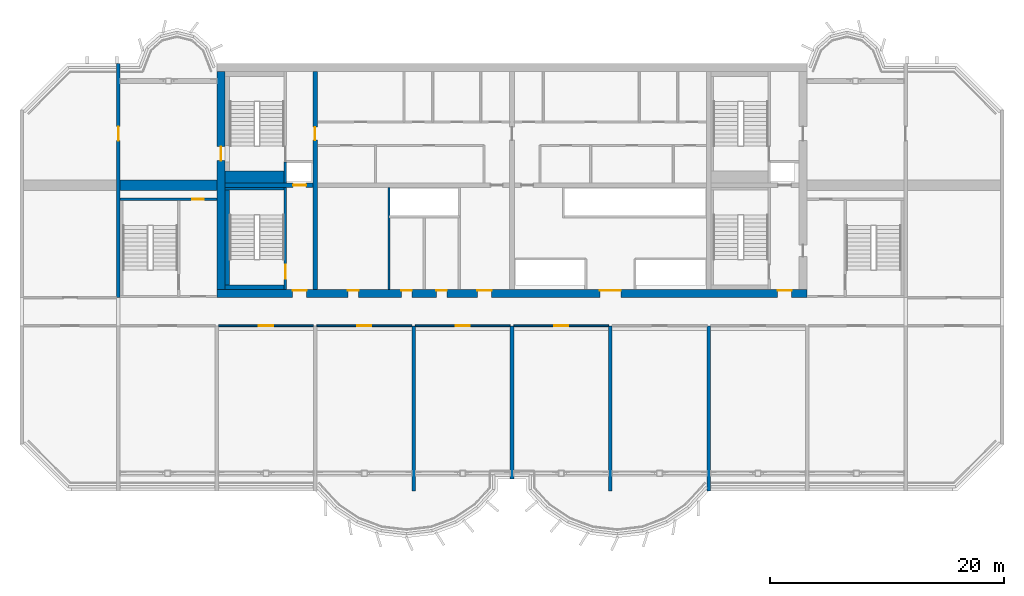
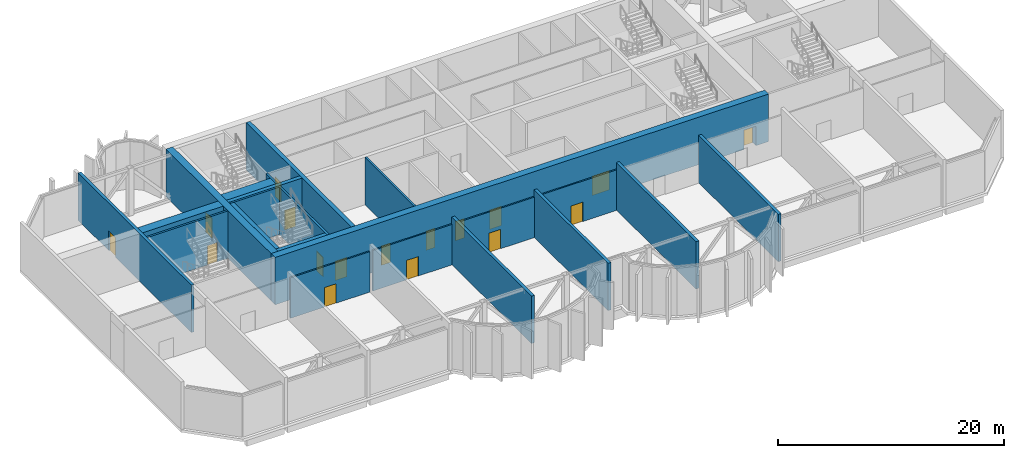
# One storey, part 4 of 15: 22 walls, 17 doors, 17 openings.
"""IFC4 building model written with IfcOpenShell, lengths in metres."""

from ifc_helpers import new_model, si_unit, direction, frame, frame_2d, origin, place, context, subcontext, project, spatial, rectangle, extrude, source, transform, mapped, material, layer, layer_set, type_object, element, fill, save


model = new_model("IFC4")

# Units and contexts
model_context = context("Model", 3, precision=1e-05, world=origin(), true_north=direction((0.0, 1.0)))
body_context = subcontext(model_context, "Body", "Model", "MODEL_VIEW")
ifc_project = project(units=[si_unit("LENGTHUNIT", "METRE"), si_unit("AREAUNIT", "SQUARE_METRE"), si_unit("VOLUMEUNIT", "CUBIC_METRE"), si_unit("PLANEANGLEUNIT", "RADIAN"), si_unit("MASSUNIT", "GRAM", prefix="KILO")], contexts=[model_context])

# Site, building, storey
site_placement = place(None, origin())
site = spatial("IfcSite", under=ifc_project, at=site_placement, CompositionType="ELEMENT")
building_placement = place(site_placement, origin())
building = spatial("IfcBuilding", under=site, at=building_placement, Name="Vanashikhar Sky Hotel", CompositionType="ELEMENT")
storey_placement = place(building_placement, frame((0.0, 0.0, 201.0)))
storey = spatial("IfcBuildingStorey", under=building, at=storey_placement, Name="L49", CompositionType="ELEMENT", Elevation=201.0)

# Wall, opening, door
ifc_material_1 = material(Name="Concrete M60", Category="concrete")
ifc_layer_1 = layer(ifc_material_1, 0.39990234375)
ifc_layer_set_1 = layer_set([ifc_layer_1], Name="RC core inner wall 400 Concrete M60")
wall_type_1 = type_object("IfcWallType", Name="RC core inner wall 400 Concrete M60", PredefinedType="SHEAR", material=ifc_layer_set_1)
shared_shape_1 = source(origin(), body_context, "Body", "SweptSolid", [
    extrude(rectangle(XDim=18.60009765625, YDim=0.39990234375, at=frame_2d((9.300048828125, 0.0))), origin(), (0.0, 0.0, 1.0), 5.1201171875),
])
wall_1_placement = place(storey_placement, frame((33.60009765625, 22.699951171875, 0.0), z_axis=(0.0, 0.0, 1.0), x_axis=(0.0, 1.0, 0.0)))
wall_1 = element("IfcWall", 1, at=wall_1_placement, inside=storey, type_object=wall_type_1, Name="KW-L49-KX1", PredefinedType="SHEAR", context=body_context, shape_type="MappedRepresentation", body=[
    mapped(shared_shape_1, transform((0.0, 0.0, 0.0), scale=1.0)),
])
shared_shape_2 = source(origin(), body_context, "Body", "SweptSolid", [
    extrude(rectangle(XDim=1.10009765625, YDim=2.10009765625, at=frame_2d((0.550048828125, 1.050048828125))), frame((0.0, 0.2099609375, 0.0), z_axis=(0.0, -1.0, 0.0), x_axis=(1.0, 0.0, 0.0)), (0.0, 0.0, 1.0), 0.419921875),
])
opening_1_placement = place(wall_1_placement, frame((12.75, 0.0, 0.0)))
opening_1 = element("IfcOpeningElement", 2, at=opening_1_placement, cuts=wall_1, Name="Opening DC-4-C", PredefinedType="OPENING", context=body_context, shape_type="MappedRepresentation", body=[
    mapped(shared_shape_2, transform((0.0, 0.0, 0.0), scale=1.0)),
])
ifc_material_2 = material(Name="Steel", Category="steel")
door_type_1 = type_object("IfcDoorType", Name="Service door 1100 FD60", OperationType="NOTDEFINED", PredefinedType="DOOR", material=ifc_material_2)
shared_shape_3 = source(origin(), body_context, "Body", "SweptSolid", [
    extrude(rectangle(XDim=1.10009765625, YDim=2.10009765625, at=frame_2d((0.550048828125, 1.050048828125))), frame((0.0, 0.02490234375, 0.0), z_axis=(0.0, -1.0, 0.0), x_axis=(1.0, 0.0, 0.0)), (0.0, 0.0, 1.0), 0.050048828125),
])
door_1_placement = place(opening_1_placement, origin())
door_1 = element("IfcDoor", 3, at=door_1_placement, inside=storey, type_object=door_type_1, Name="Service door 1100 FD60", OperationType="SINGLE_SWING_RIGHT", OverallHeight=2.10009765625, OverallWidth=1.10009765625, PredefinedType="DOOR", context=body_context, shape_type="MappedRepresentation", body=[
    mapped(shared_shape_3, transform((0.0, 0.0, 0.0), scale=1.0)),
])
fill(opening_1, door_1)

# Wall, openings, doors
ifc_layer_2 = layer(ifc_material_1, 0.699951171875)
ifc_layer_set_2 = layer_set([ifc_layer_2], Name="RC core shell wall 700 Concrete M60")
wall_type_2 = type_object("IfcWallType", Name="RC core shell wall 700 Concrete M60", PredefinedType="SHEAR", material=ifc_layer_set_2)
shared_shape_4 = source(origin(), body_context, "Body", "SweptSolid", [
    extrude(rectangle(XDim=50.400146484375, YDim=0.699951171875, at=frame_2d((25.2001953125, 0.0))), origin(), (0.0, 0.0, 1.0), 5.1201171875),
])
wall_2_placement = place(storey_placement, frame((25.199951171875, 22.35009765625, 0.0), z_axis=(0.0, 0.0, 1.0), x_axis=(1.0, 0.0, 0.0)))
wall_2 = element("IfcWall", 4, at=wall_2_placement, inside=storey, type_object=wall_type_2, Name="KW-L49-KS", PredefinedType="SHEAR", context=body_context, shape_type="MappedRepresentation", body=[
    mapped(shared_shape_4, transform((0.0, 0.0, 0.0), scale=1.0)),
])
shared_shape_5 = source(origin(), body_context, "Body", "SweptSolid", [
    extrude(rectangle(XDim=1.199951171875, YDim=2.10009765625, at=frame_2d((0.60009765625, 1.050048828125))), frame((0.0, 0.35986328125, 0.0), z_axis=(0.0, -1.0, 0.0), x_axis=(1.0, 0.0, 0.0)), (0.0, 0.0, 1.0), 0.719970703125),
])
opening_2_placement = place(wall_2_placement, frame((22.25, 0.0, 0.0)))
opening_2 = element("IfcOpeningElement", 5, at=opening_2_placement, cuts=wall_2, Name="Opening DC-4-B", PredefinedType="OPENING", context=body_context, shape_type="MappedRepresentation", body=[
    mapped(shared_shape_5, transform((0.0, 0.0, 0.0), scale=1.0)),
])
shared_shape_6 = source(origin(), body_context, "Body", "SweptSolid", [
    extrude(rectangle(XDim=0.89990234375, YDim=2.10009765625, at=frame_2d((0.449951171875, 1.050048828125))), frame((0.0, 0.35986328125, 0.0), z_axis=(0.0, -1.0, 0.0), x_axis=(1.0, 0.0, 0.0)), (0.0, 0.0, 1.0), 0.719970703125),
])
opening_3_placement = place(wall_2_placement, frame((15.75, 0.0, 0.0)))
opening_3 = element("IfcOpeningElement", 6, at=opening_3_placement, cuts=wall_2, Name="Opening DC-4-A", PredefinedType="OPENING", context=body_context, shape_type="MappedRepresentation", body=[
    mapped(shared_shape_6, transform((0.0, 0.0, 0.0), scale=1.0)),
])
opening_4_placement = place(wall_2_placement, frame((18.75, 0.0, 0.0)))
opening_4 = element("IfcOpeningElement", 7, at=opening_4_placement, cuts=wall_2, Name="Opening DC-4-A", PredefinedType="OPENING", context=body_context, shape_type="MappedRepresentation", body=[
    mapped(shared_shape_6, transform((0.0, 0.0, 0.0), scale=1.0)),
])
opening_5_placement = place(wall_2_placement, frame((11.199951171875, 0.0, 0.0)))
opening_5 = element("IfcOpeningElement", 8, at=opening_5_placement, cuts=wall_2, Name="Opening DC-4-A", PredefinedType="OPENING", context=body_context, shape_type="MappedRepresentation", body=[
    mapped(shared_shape_6, transform((0.0, 0.0, 0.0), scale=1.0)),
])
shared_shape_7 = source(origin(), body_context, "Body", "SweptSolid", [
    extrude(rectangle(XDim=1.800048828125, YDim=2.10009765625, at=frame_2d((0.89990234375, 1.050048828125))), frame((0.0, 0.35986328125, 0.0), z_axis=(0.0, -1.0, 0.0), x_axis=(1.0, 0.0, 0.0)), (0.0, 0.0, 1.0), 0.719970703125),
])
opening_6_placement = place(wall_2_placement, frame((32.699951171875, 0.0, 0.0)))
opening_6 = element("IfcOpeningElement", 9, at=opening_6_placement, cuts=wall_2, Name="Opening DC-3", PredefinedType="OPENING", context=body_context, shape_type="MappedRepresentation", body=[
    mapped(shared_shape_7, transform((0.0, 0.0, 0.0), scale=1.0)),
])
opening_7_placement = place(wall_2_placement, frame((6.47509765625, 0.0, 0.0)))
opening_7 = element("IfcOpeningElement", 10, at=opening_7_placement, cuts=wall_2, Name="Opening DC-2", PredefinedType="OPENING", context=body_context, shape_type="MappedRepresentation", body=[
    mapped(shared_shape_5, transform((0.0, 0.0, 0.0), scale=1.0)),
])
opening_8_placement = place(wall_2_placement, frame((47.875, 0.0, 0.0)))
opening_8 = element("IfcOpeningElement", 11, at=opening_8_placement, cuts=wall_2, Name="Opening DC-2", PredefinedType="OPENING", context=body_context, shape_type="MappedRepresentation", body=[
    mapped(shared_shape_5, transform((0.0, 0.0, 0.0), scale=1.0)),
])
ifc_material_3 = material(Name="Glass", Category="glass")
door_type_2 = type_object("IfcDoorType", Name="Lift lobby entrance door 1800 FD60", OperationType="NOTDEFINED", PredefinedType="DOOR", material=ifc_material_3)
shared_shape_8 = source(origin(), body_context, "Body", "SweptSolid", [
    extrude(rectangle(XDim=1.800048828125, YDim=2.10009765625, at=frame_2d((0.89990234375, 1.050048828125))), frame((0.0, 0.27490234375, 0.0), z_axis=(0.0, -1.0, 0.0), x_axis=(1.0, 0.0, 0.0)), (0.0, 0.0, 1.0), 0.050048828125),
])
door_2_placement = place(opening_6_placement, origin())
door_2 = element("IfcDoor", 12, at=door_2_placement, inside=storey, type_object=door_type_2, Name="Lift lobby entrance door 1800 FD60", OperationType="DOUBLE_DOOR_SINGLE_SWING", OverallHeight=2.10009765625, OverallWidth=1.800048828125, PredefinedType="DOOR", context=body_context, shape_type="MappedRepresentation", body=[
    mapped(shared_shape_8, transform((0.0, 0.0, 0.0), scale=1.0)),
])
fill(opening_6, door_2)
door_type_3 = type_object("IfcDoorType", Name="Service door 1200 FD60", OperationType="NOTDEFINED", PredefinedType="DOOR", material=ifc_material_2)
shared_shape_9 = source(origin(), body_context, "Body", "SweptSolid", [
    extrude(rectangle(XDim=1.199951171875, YDim=2.10009765625, at=frame_2d((0.60009765625, 1.050048828125))), frame((0.0, 0.27490234375, 0.0), z_axis=(0.0, -1.0, 0.0), x_axis=(1.0, 0.0, 0.0)), (0.0, 0.0, 1.0), 0.050048828125),
])
door_3_placement = place(opening_2_placement, origin())
door_3 = element("IfcDoor", 13, at=door_3_placement, inside=storey, type_object=door_type_3, Name="Service door 1200 FD60", OperationType="SINGLE_SWING_LEFT", OverallHeight=2.10009765625, OverallWidth=1.199951171875, PredefinedType="DOOR", context=body_context, shape_type="MappedRepresentation", body=[
    mapped(shared_shape_9, transform((0.0, 0.0, 0.0), scale=1.0)),
])
fill(opening_2, door_3)
door_type_4 = type_object("IfcDoorType", Name="Firefighting lobby door 1200 FD120", OperationType="NOTDEFINED", PredefinedType="DOOR", material=ifc_material_2)
door_4_placement = place(opening_7_placement, origin())
door_4 = element("IfcDoor", 14, at=door_4_placement, inside=storey, type_object=door_type_4, Name="Firefighting lobby door 1200 FD120", OperationType="SINGLE_SWING_LEFT", OverallHeight=2.10009765625, OverallWidth=1.199951171875, PredefinedType="DOOR", context=body_context, shape_type="MappedRepresentation", body=[
    mapped(shared_shape_9, transform((0.0, 0.0, 0.0), scale=1.0)),
])
fill(opening_7, door_4)
door_5_placement = place(opening_8_placement, origin())
door_5 = element("IfcDoor", 15, at=door_5_placement, inside=storey, type_object=door_type_4, Name="Firefighting lobby door 1200 FD120", OperationType="SINGLE_SWING_LEFT", OverallHeight=2.10009765625, OverallWidth=1.199951171875, PredefinedType="DOOR", context=body_context, shape_type="MappedRepresentation", body=[
    mapped(shared_shape_9, transform((0.0, 0.0, 0.0), scale=1.0)),
])
fill(opening_8, door_5)
door_type_5 = type_object("IfcDoorType", Name="Service door 900 FD60", OperationType="NOTDEFINED", PredefinedType="DOOR", material=ifc_material_2)
shared_shape_10 = source(origin(), body_context, "Body", "SweptSolid", [
    extrude(rectangle(XDim=0.89990234375, YDim=2.10009765625, at=frame_2d((0.449951171875, 1.050048828125))), frame((0.0, 0.27490234375, 0.0), z_axis=(0.0, -1.0, 0.0), x_axis=(1.0, 0.0, 0.0)), (0.0, 0.0, 1.0), 0.050048828125),
])
door_6_placement = place(opening_3_placement, origin())
door_6 = element("IfcDoor", 16, at=door_6_placement, inside=storey, type_object=door_type_5, Name="Service door 900 FD60", OperationType="SINGLE_SWING_LEFT", OverallHeight=2.10009765625, OverallWidth=0.89990234375, PredefinedType="DOOR", context=body_context, shape_type="MappedRepresentation", body=[
    mapped(shared_shape_10, transform((0.0, 0.0, 0.0), scale=1.0)),
])
fill(opening_3, door_6)
door_7_placement = place(opening_4_placement, origin())
door_7 = element("IfcDoor", 17, at=door_7_placement, inside=storey, type_object=door_type_5, Name="Service door 900 FD60", OperationType="SINGLE_SWING_RIGHT", OverallHeight=2.10009765625, OverallWidth=0.89990234375, PredefinedType="DOOR", context=body_context, shape_type="MappedRepresentation", body=[
    mapped(shared_shape_10, transform((0.0, 0.0, 0.0), scale=1.0)),
])
fill(opening_4, door_7)
door_8_placement = place(opening_5_placement, origin())
door_8 = element("IfcDoor", 18, at=door_8_placement, inside=storey, type_object=door_type_5, Name="Service door 900 FD60", OperationType="SINGLE_SWING_LEFT", OverallHeight=2.10009765625, OverallWidth=0.89990234375, PredefinedType="DOOR", context=body_context, shape_type="MappedRepresentation", body=[
    mapped(shared_shape_10, transform((0.0, 0.0, 0.0), scale=1.0)),
])
fill(opening_5, door_8)

# Wall, opening, door
shared_shape_11 = source(origin(), body_context, "Body", "SweptSolid", [
    extrude(rectangle(XDim=18.60009765625, YDim=0.699951171875, at=frame_2d((9.300048828125, 0.0))), origin(), (0.0, 0.0, 1.0), 5.1201171875),
])
wall_3_placement = place(storey_placement, frame((25.550048828125, 22.699951171875, 0.0), z_axis=(0.0, 0.0, 1.0), x_axis=(0.0, 1.0, 0.0)))
wall_3 = element("IfcWall", 19, at=wall_3_placement, inside=storey, type_object=wall_type_2, Name="KW-L49-KW", PredefinedType="SHEAR", context=body_context, shape_type="MappedRepresentation", body=[
    mapped(shared_shape_11, transform((0.0, 0.0, 0.0), scale=1.0)),
])
opening_9_placement = place(wall_3_placement, frame((11.0, 0.0, 0.0)))
opening_9 = element("IfcOpeningElement", 20, at=opening_9_placement, cuts=wall_3, Name="Opening DC-4-D", PredefinedType="OPENING", context=body_context, shape_type="MappedRepresentation", body=[
    mapped(shared_shape_5, transform((0.0, 0.0, 0.0), scale=1.0)),
])
door_type_6 = type_object("IfcDoorType", Name="Service door 1200 FD120", OperationType="NOTDEFINED", PredefinedType="DOOR", material=ifc_material_2)
shared_shape_12 = source(origin(), body_context, "Body", "SweptSolid", [
    extrude(rectangle(XDim=1.199951171875, YDim=2.10009765625, at=frame_2d((0.60009765625, 1.050048828125))), frame((0.0, 0.02490234375, 0.0), z_axis=(0.0, -1.0, 0.0), x_axis=(1.0, 0.0, 0.0)), (0.0, 0.0, 1.0), 0.050048828125),
])
door_9_placement = place(opening_9_placement, origin())
door_9 = element("IfcDoor", 21, at=door_9_placement, inside=storey, type_object=door_type_6, Name="Service door 1200 FD120", OperationType="SINGLE_SWING_RIGHT", OverallHeight=2.10009765625, OverallWidth=1.199951171875, PredefinedType="DOOR", context=body_context, shape_type="MappedRepresentation", body=[
    mapped(shared_shape_12, transform((0.0, 0.0, 0.0), scale=1.0)),
])
fill(opening_9, door_9)

shared_shape_13 = source(origin(), body_context, "Body", "SweptSolid", [
    extrude(rectangle(XDim=7.5, YDim=0.39990234375, at=frame_2d((3.75, 0.0))), origin(), (0.0, 0.0, 1.0), 5.1201171875),
])
wall_4_placement = place(storey_placement, frame((25.89990234375, 31.60009765625, 0.0), z_axis=(0.0, 0.0, 1.0), x_axis=(1.0, 0.0, 0.0)))
wall_4 = element("IfcWall", 22, at=wall_4_placement, inside=storey, type_object=wall_type_1, Name="KW-L49-KY1", PredefinedType="SHEAR", context=body_context, shape_type="MappedRepresentation", body=[
    mapped(shared_shape_13, transform((0.0, 0.0, 0.0), scale=1.0)),
])
opening_10_placement = place(wall_4_placement, frame((5.824951171875, 0.0, 0.0)))
opening_10 = element("IfcOpeningElement", 23, at=opening_10_placement, cuts=wall_4, Name="Opening LD", PredefinedType="OPENING", context=body_context, shape_type="MappedRepresentation", body=[
    mapped(shared_shape_2, transform((0.0, 0.0, 0.0), scale=1.0)),
])
ifc_material_4 = material(Name="Stainless steel", Category="steel")
door_type_7 = type_object("IfcDoorType", Name="Lift landing door 1100", OperationType="NOTDEFINED", PredefinedType="DOOR", material=ifc_material_4)
door_10_placement = place(opening_10_placement, origin())
door_10 = element("IfcDoor", 24, at=door_10_placement, inside=storey, type_object=door_type_7, Name="Lift landing door 1100", OperationType="SLIDING_TO_LEFT", OverallHeight=2.10009765625, OverallWidth=1.10009765625, PredefinedType="DOOR", context=body_context, shape_type="MappedRepresentation", body=[
    mapped(shared_shape_3, transform((0.0, 0.0, 0.0), scale=1.0)),
])
fill(opening_10, door_10)

# Walls
ifc_layer_3 = layer(ifc_material_1, 0.300048828125)
ifc_layer_set_3 = layer_set([ifc_layer_3], Name="RC shear wall 300 Concrete M60")
wall_type_3 = type_object("IfcWallType", Name="RC shear wall 300 Concrete M60", PredefinedType="SHEAR", material=ifc_layer_set_3)
shared_shape_14 = source(origin(), body_context, "Body", "SweptSolid", [
    extrude(rectangle(XDim=14.10009765625, YDim=0.300048828125, at=frame_2d((7.050048828125, 0.0))), origin(), (0.0, 0.0, 1.0), 5.1201171875),
])
for number, where, z_axis, x_axis, name in (
    (25, (42.0, 5.5, 0.0), (0.0, 0.0, 1.0), (0.0, 1.0, 0.0), "CW-L49-XW06-1"),
    (26, (58.800048828125, 5.5, 0.0), (0.0, 0.0, 1.0), (0.0, 1.0, 0.0), "CW-L49-XW08-1"),
    (27, (67.199951171875, 5.5, 0.0), (0.0, 0.0, 1.0), (0.0, 1.0, 0.0), "CW-L49-XW09-1"),
):
    element("IfcWall", number, at=place(storey_placement, frame(where, z_axis=z_axis, x_axis=x_axis)), inside=storey, type_object=wall_type_3, Name=name, PredefinedType="SHEAR", context=body_context, shape_type="MappedRepresentation", body=[
        mapped(shared_shape_14, transform((0.0, 0.0, 0.0), scale=1.0)),
    ])

# Wall, opening, door
shared_shape_15 = source(origin(), body_context, "Body", "SweptSolid", [
    extrude(rectangle(XDim=20.0, YDim=0.300048828125, at=frame_2d((10.0, 0.0))), origin(), (0.0, 0.0, 1.0), 5.1201171875),
])
wall_5_placement = place(storey_placement, frame((16.800048828125, 22.0, 0.0), z_axis=(0.0, 0.0, 1.0), x_axis=(0.0, 1.0, 0.0)))
wall_5 = element("IfcWall", 28, at=wall_5_placement, inside=storey, type_object=wall_type_3, Name="CW-L49-XW03-2", PredefinedType="SHEAR", context=body_context, shape_type="MappedRepresentation", body=[
    mapped(shared_shape_15, transform((0.0, 0.0, 0.0), scale=1.0)),
])
shared_shape_16 = source(origin(), body_context, "Body", "SweptSolid", [
    extrude(rectangle(XDim=1.199951171875, YDim=2.10009765625, at=frame_2d((0.60009765625, 1.050048828125))), frame((0.0, 0.16015625, 0.0), z_axis=(0.0, -1.0, 0.0), x_axis=(1.0, 0.0, 0.0)), (0.0, 0.0, 1.0), 0.320068359375),
])
opening_11_placement = place(wall_5_placement, frame((13.39990234375, 0.0, 0.0)))
opening_11 = element("IfcOpeningElement", 29, at=opening_11_placement, cuts=wall_5, Name="Opening DC-4-D", PredefinedType="OPENING", context=body_context, shape_type="MappedRepresentation", body=[
    mapped(shared_shape_16, transform((0.0, 0.0, 0.0), scale=1.0)),
])
door_11_placement = place(opening_11_placement, origin())
door_11 = element("IfcDoor", 30, at=door_11_placement, inside=storey, type_object=door_type_6, Name="Service door 1200 FD120", OperationType="SINGLE_SWING_LEFT", OverallHeight=2.10009765625, OverallWidth=1.199951171875, PredefinedType="DOOR", context=body_context, shape_type="MappedRepresentation", body=[
    mapped(shared_shape_12, transform((0.0, 0.0, 0.0), scale=1.0)),
])
fill(opening_11, door_11)

# Walls
shared_shape_17 = source(origin(), body_context, "Body", "SweptSolid", [
    extrude(rectangle(XDim=13.10009765625, YDim=0.300048828125, at=frame_2d((6.550048828125, 0.0))), origin(), (0.0, 0.0, 1.0), 5.1201171875),
])
wall_6_placement = place(storey_placement, frame((50.39990234375, 6.5, 0.0), z_axis=(0.0, 0.0, 1.0), x_axis=(0.0, 1.0, 0.0)))
element("IfcWall", 31, at=wall_6_placement, inside=storey, type_object=wall_type_3, Name="CW-L49-XW07-1", PredefinedType="SHEAR", context=body_context, shape_type="MappedRepresentation", body=[
    mapped(shared_shape_17, transform((0.0, 0.0, 0.0), scale=1.0)),
])
ifc_layer_4 = layer(ifc_material_1, 0.89990234375)
ifc_layer_set_4 = layer_set([ifc_layer_4], Name="RC outrigger wall 900 Concrete M60")
wall_type_4 = type_object("IfcWallType", Name="RC outrigger wall 900 Concrete M60", PredefinedType="SHEAR", material=ifc_layer_set_4)
shared_shape_18 = source(origin(), body_context, "Body", "SweptSolid", [
    extrude(rectangle(XDim=8.25, YDim=0.89990234375, at=frame_2d((4.125, 0.0))), origin(), (0.0, 0.0, 1.0), 5.1201171875),
])
wall_7_placement = place(storey_placement, frame((16.949951171875, 31.60009765625, 0.0), z_axis=(0.0, 0.0, 1.0), x_axis=(1.0, 0.0, 0.0)))
element("IfcWall", 32, at=wall_7_placement, inside=storey, type_object=wall_type_4, Name="OW-L49-02", PredefinedType="SHEAR", context=body_context, shape_type="MappedRepresentation", body=[
    mapped(shared_shape_18, transform((0.0, 0.0, 0.0), scale=1.0)),
])

# Wall, opening, door
ifc_material_5 = material(Name="Concrete M50", Category="concrete")
ifc_layer_5 = layer(ifc_material_5, 0.199951171875)
ifc_layer_set_5 = layer_set([ifc_layer_5], Name="Stair wall 200")
wall_type_5 = type_object("IfcWallType", Name="Stair wall 200", PredefinedType="SOLIDWALL", material=ifc_layer_set_5)
shared_shape_19 = source(origin(), body_context, "Body", "SweptSolid", [
    extrude(rectangle(XDim=8.699951171875, YDim=0.199951171875, at=frame_2d((4.35009765625, 0.0))), origin(), (0.0, 0.0, 1.0), 5.1201171875),
])
wall_8_placement = place(storey_placement, frame((31.050048828125, 22.699951171875, 0.0), z_axis=(0.0, 0.0, 1.0), x_axis=(0.0, 1.0, 0.0)))
wall_8 = element("IfcWall", 33, at=wall_8_placement, inside=storey, type_object=wall_type_5, Name="Stair wall 200", PredefinedType="SOLIDWALL", context=body_context, shape_type="MappedRepresentation", body=[
    mapped(shared_shape_19, transform((0.0, 0.0, 0.0), scale=1.0)),
])
shared_shape_20 = source(origin(), body_context, "Body", "SweptSolid", [
    extrude(rectangle(XDim=1.199951171875, YDim=2.10009765625, at=frame_2d((0.60009765625, 1.050048828125))), frame((0.0, 0.10986328125, 0.0), z_axis=(0.0, -1.0, 0.0), x_axis=(1.0, 0.0, 0.0)), (0.0, 0.0, 1.0), 0.219970703125),
])
opening_12_placement = place(wall_8_placement, frame((0.89990234375, 0.0, 0.0)))
opening_12 = element("IfcOpeningElement", 34, at=opening_12_placement, cuts=wall_8, Name="Opening DC-1", PredefinedType="OPENING", context=body_context, shape_type="MappedRepresentation", body=[
    mapped(shared_shape_20, transform((0.0, 0.0, 0.0), scale=1.0)),
])
door_type_8 = type_object("IfcDoorType", Name="Stair door 1200 FD120", OperationType="NOTDEFINED", PredefinedType="DOOR", material=ifc_material_2)
door_12_placement = place(opening_12_placement, origin())
door_12 = element("IfcDoor", 35, at=door_12_placement, inside=storey, type_object=door_type_8, Name="Stair door 1200 FD120", OperationType="SINGLE_SWING_LEFT", OverallHeight=2.10009765625, OverallWidth=1.199951171875, PredefinedType="DOOR", context=body_context, shape_type="MappedRepresentation", body=[
    mapped(shared_shape_12, transform((0.0, 0.0, 0.0), scale=1.0)),
])
fill(opening_12, door_12)

# Wall
ifc_material_6 = material(Name="Concrete M40", Category="concrete")
ifc_layer_6 = layer(ifc_material_6, 0.199951171875)
ifc_layer_set_6 = layer_set([ifc_layer_6], Name="Shaft wall 200")
wall_type_6 = type_object("IfcWallType", Name="Shaft wall 200", PredefinedType="SOLIDWALL", material=ifc_layer_set_6)
shared_shape_21 = source(origin(), body_context, "Body", "SweptSolid", [
    extrude(rectangle(XDim=1.800048828125, YDim=0.199951171875, at=frame_2d((0.89990234375, 0.0))), origin(), (0.0, 0.0, 1.0), 5.1201171875),
])
wall_9_placement = place(storey_placement, frame((31.050048828125, 31.800048828125, 0.0), z_axis=(0.0, 0.0, 1.0), x_axis=(0.0, 1.0, 0.0)))
element("IfcWall", 36, at=wall_9_placement, inside=storey, type_object=wall_type_6, Name="Shaft wall 200", PredefinedType="SOLIDWALL", context=body_context, shape_type="MappedRepresentation", body=[
    mapped(shared_shape_21, transform((0.0, 0.0, 0.0), scale=1.0)),
])

# Wall, opening, door
shared_shape_22 = source(origin(), body_context, "Body", "SweptSolid", [
    extrude(rectangle(XDim=8.25, YDim=0.199951171875, at=frame_2d((4.125, 0.0))), origin(), (0.0, 0.0, 1.0), 5.1201171875),
])
wall_10_placement = place(storey_placement, frame((25.199951171875, 30.39990234375, 0.0), z_axis=(0.0, 0.0, 1.0), x_axis=(-1.0, 0.0, 0.0)))
wall_10 = element("IfcWall", 37, at=wall_10_placement, inside=storey, type_object=wall_type_5, Name="Stair wall 200", PredefinedType="SOLIDWALL", context=body_context, shape_type="MappedRepresentation", body=[
    mapped(shared_shape_22, transform((0.0, 0.0, 0.0), scale=1.0)),
])
shared_shape_23 = source(origin(), body_context, "Body", "SweptSolid", [
    extrude(rectangle(XDim=1.0, YDim=2.10009765625, at=frame_2d((0.5, 1.050048828125))), frame((0.0, 0.10986328125, 0.0), z_axis=(0.0, -1.0, 0.0), x_axis=(1.0, 0.0, 0.0)), (0.0, 0.0, 1.0), 0.219970703125),
])
opening_13_placement = place(wall_10_placement, frame((1.10009765625, 0.0, 0.0)))
opening_13 = element("IfcOpeningElement", 38, at=opening_13_placement, cuts=wall_10, Name="Opening DC-6", PredefinedType="OPENING", context=body_context, shape_type="MappedRepresentation", body=[
    mapped(shared_shape_23, transform((0.0, 0.0, 0.0), scale=1.0)),
])
door_type_9 = type_object("IfcDoorType", Name="Pocket door 1000 FD60", OperationType="NOTDEFINED", PredefinedType="DOOR", material=ifc_material_2)
shared_shape_24 = source(origin(), body_context, "Body", "SweptSolid", [
    extrude(rectangle(XDim=1.0, YDim=2.10009765625, at=frame_2d((0.5, 1.050048828125))), frame((0.0, 0.02490234375, 0.0), z_axis=(0.0, -1.0, 0.0), x_axis=(1.0, 0.0, 0.0)), (0.0, 0.0, 1.0), 0.050048828125),
])
door_13_placement = place(opening_13_placement, origin())
door_13 = element("IfcDoor", 39, at=door_13_placement, inside=storey, type_object=door_type_9, Name="Pocket door 1000 FD60", OperationType="SINGLE_SWING_RIGHT", OverallHeight=2.10009765625, OverallWidth=1.0, PredefinedType="DOOR", context=body_context, shape_type="MappedRepresentation", body=[
    mapped(shared_shape_24, transform((0.0, 0.0, 0.0), scale=1.0)),
])
fill(opening_13, door_13)

# Walls
ifc_layer_7 = layer(ifc_material_5, 0.39990234375)
ifc_layer_set_7 = layer_set([ifc_layer_7], Name="Stair infill wall 400")
wall_type_7 = type_object("IfcWallType", Name="Stair infill wall 400", PredefinedType="SOLIDWALL", material=ifc_layer_set_7)
shared_shape_25 = source(origin(), body_context, "Body", "SweptSolid", [
    extrude(rectangle(XDim=5.050048828125, YDim=0.39990234375, at=frame_2d((2.52490234375, 0.0))), origin(), (0.0, 0.0, 1.0), 5.1201171875),
])
wall_11_placement = place(storey_placement, frame((25.89990234375, 22.89990234375, 0.0), z_axis=(0.0, 0.0, 1.0), x_axis=(1.0, 0.0, 0.0)))
element("IfcWall", 40, at=wall_11_placement, inside=storey, type_object=wall_type_7, Name="Stair infill wall 400", PredefinedType="SOLIDWALL", context=body_context, shape_type="MappedRepresentation", body=[
    mapped(shared_shape_25, transform((0.0, 0.0, 0.0), scale=1.0)),
])
ifc_layer_8 = layer(ifc_material_5, 0.199951171875)
ifc_layer_set_8 = layer_set([ifc_layer_8], Name="Stair infill wall 200")
wall_type_8 = type_object("IfcWallType", Name="Stair infill wall 200", PredefinedType="SOLIDWALL", material=ifc_layer_set_8)
shared_shape_26 = source(origin(), body_context, "Body", "SweptSolid", [
    extrude(rectangle(XDim=5.050048828125, YDim=0.199951171875, at=frame_2d((2.52490234375, 0.0))), origin(), (0.0, 0.0, 1.0), 5.1201171875),
])
wall_12_placement = place(storey_placement, frame((25.89990234375, 31.300048828125, 0.0), z_axis=(0.0, 0.0, 1.0), x_axis=(1.0, 0.0, 0.0)))
element("IfcWall", 41, at=wall_12_placement, inside=storey, type_object=wall_type_8, Name="Stair infill wall 200", PredefinedType="SOLIDWALL", context=body_context, shape_type="MappedRepresentation", body=[
    mapped(shared_shape_26, transform((0.0, 0.0, 0.0), scale=1.0)),
])
shared_shape_27 = source(origin(), body_context, "Body", "SweptSolid", [
    extrude(rectangle(XDim=8.099853515625, YDim=0.39990234375, at=frame_2d((4.0498046875, 0.0))), origin(), (0.0, 0.0, 1.0), 5.1201171875),
])
wall_13_placement = place(storey_placement, frame((26.10009765625, 23.10009765625, 0.0), z_axis=(0.0, 0.0, 1.0), x_axis=(0.0, 1.0, 0.0)))
element("IfcWall", 42, at=wall_13_placement, inside=storey, type_object=wall_type_7, Name="Stair infill wall 400", PredefinedType="SOLIDWALL", context=body_context, shape_type="MappedRepresentation", body=[
    mapped(shared_shape_27, transform((0.0, 0.0, 0.0), scale=1.0)),
])
ifc_layer_9 = layer(ifc_material_5, 1.0)
ifc_layer_set_9 = layer_set([ifc_layer_9], Name="Stair infill wall 1000")
wall_type_9 = type_object("IfcWallType", Name="Stair infill wall 1000", PredefinedType="SOLIDWALL", material=ifc_layer_set_9)
shared_shape_28 = source(origin(), body_context, "Body", "SweptSolid", [
    extrude(rectangle(XDim=5.050048828125, YDim=1.0, at=frame_2d((2.52490234375, 0.0))), origin(), (0.0, 0.0, 1.0), 5.1201171875),
])
wall_14_placement = place(storey_placement, frame((25.89990234375, 32.300048828125, 0.0), z_axis=(0.0, 0.0, 1.0), x_axis=(1.0, 0.0, 0.0)))
element("IfcWall", 43, at=wall_14_placement, inside=storey, type_object=wall_type_9, Name="Stair infill wall 1000", PredefinedType="SOLIDWALL", context=body_context, shape_type="MappedRepresentation", body=[
    mapped(shared_shape_28, transform((0.0, 0.0, 0.0), scale=1.0)),
])
ifc_material_7 = material(Name="Gypsum board partition")
ifc_layer_10 = layer(ifc_material_7, 0.14990234375)
ifc_layer_set_10 = layer_set([ifc_layer_10], Name="Service partition 150")
wall_type_10 = type_object("IfcWallType", Name="Service partition 150", PredefinedType="PARTITIONING", material=ifc_layer_set_10)
shared_shape_29 = source(origin(), body_context, "Body", "SweptSolid", [
    extrude(rectangle(XDim=8.699951171875, YDim=0.199951171875, at=frame_2d((4.35009765625, 0.0))), origin(), (0.0, 0.0, 1.0), 5.1201171875),
])
wall_15_placement = place(storey_placement, frame((39.89990234375, 22.699951171875, 0.0), z_axis=(0.0, 0.0, 1.0), x_axis=(0.0, 1.0, 0.0)))
element("IfcWall", 44, at=wall_15_placement, inside=storey, type_object=wall_type_10, Name="Service partition 150", PredefinedType="PARTITIONING", context=body_context, shape_type="MappedRepresentation", body=[
    mapped(shared_shape_29, transform((0.0, 0.0, 0.0), scale=1.0)),
])

# Wall, opening, door
shared_shape_30 = source(origin(), body_context, "Body", "SweptSolid", [
    extrude(rectangle(XDim=8.10009765625, YDim=0.14990234375, at=frame_2d((4.050048828125, 0.0))), origin(), (0.0, 0.0, 1.0), 4.3701171875),
])
wall_16_placement = place(storey_placement, frame((33.75, 19.60009765625, 0.0), z_axis=(0.0, 0.0, 1.0), x_axis=(1.0, 0.0, 0.0)))
wall_16 = element("IfcWall", 45, at=wall_16_placement, inside=storey, type_object=wall_type_10, Name="Service partition 150", PredefinedType="PARTITIONING", context=body_context, shape_type="MappedRepresentation", body=[
    mapped(shared_shape_30, transform((0.0, 0.0, 0.0), scale=1.0)),
])
shared_shape_31 = source(origin(), body_context, "Body", "SweptSolid", [
    extrude(rectangle(XDim=1.199951171875, YDim=2.10009765625, at=frame_2d((0.60009765625, 1.050048828125))), frame((0.0, 0.0849609375, 0.0), z_axis=(0.0, -1.0, 0.0), x_axis=(1.0, 0.0, 0.0)), (0.0, 0.0, 1.0), 0.169921875),
])
opening_14_placement = place(wall_16_placement, frame((3.449951171875, 0.0, 0.0)))
opening_14 = element("IfcOpeningElement", 46, at=opening_14_placement, cuts=wall_16, Name="Opening DC-4-D", PredefinedType="OPENING", context=body_context, shape_type="MappedRepresentation", body=[
    mapped(shared_shape_31, transform((0.0, 0.0, 0.0), scale=1.0)),
])
door_14_placement = place(opening_14_placement, origin())
door_14 = element("IfcDoor", 47, at=door_14_placement, inside=storey, type_object=door_type_6, Name="Service door 1200 FD120", OperationType="SINGLE_SWING_RIGHT", OverallHeight=2.10009765625, OverallWidth=1.199951171875, PredefinedType="DOOR", context=body_context, shape_type="MappedRepresentation", body=[
    mapped(shared_shape_12, transform((0.0, 0.0, 0.0), scale=1.0)),
])
fill(opening_14, door_14)

wall_17_placement = place(storey_placement, frame((42.14990234375, 19.60009765625, 0.0), z_axis=(0.0, 0.0, 1.0), x_axis=(1.0, 0.0, 0.0)))
wall_17 = element("IfcWall", 48, at=wall_17_placement, inside=storey, type_object=wall_type_10, Name="Service partition 150", PredefinedType="PARTITIONING", context=body_context, shape_type="MappedRepresentation", body=[
    mapped(shared_shape_30, transform((0.0, 0.0, 0.0), scale=1.0)),
])
opening_15_placement = place(wall_17_placement, frame((3.449951171875, 0.0, 0.0)))
opening_15 = element("IfcOpeningElement", 49, at=opening_15_placement, cuts=wall_17, Name="Opening DC-4-D", PredefinedType="OPENING", context=body_context, shape_type="MappedRepresentation", body=[
    mapped(shared_shape_31, transform((0.0, 0.0, 0.0), scale=1.0)),
])
door_15_placement = place(opening_15_placement, origin())
door_15 = element("IfcDoor", 50, at=door_15_placement, inside=storey, type_object=door_type_6, Name="Service door 1200 FD120", OperationType="SINGLE_SWING_LEFT", OverallHeight=2.10009765625, OverallWidth=1.199951171875, PredefinedType="DOOR", context=body_context, shape_type="MappedRepresentation", body=[
    mapped(shared_shape_12, transform((0.0, 0.0, 0.0), scale=1.0)),
])
fill(opening_15, door_15)

shared_shape_32 = source(origin(), body_context, "Body", "SweptSolid", [
    extrude(rectangle(XDim=8.099853515625, YDim=0.14990234375, at=frame_2d((4.0498046875, 0.0))), origin(), (0.0, 0.0, 1.0), 4.3701171875),
])
wall_18_placement = place(storey_placement, frame((25.35009765625, 19.60009765625, 0.0), z_axis=(0.0, 0.0, 1.0), x_axis=(1.0, 0.0, 0.0)))
wall_18 = element("IfcWall", 51, at=wall_18_placement, inside=storey, type_object=wall_type_10, Name="Service partition 150", PredefinedType="PARTITIONING", context=body_context, shape_type="MappedRepresentation", body=[
    mapped(shared_shape_32, transform((0.0, 0.0, 0.0), scale=1.0)),
])
opening_16_placement = place(wall_18_placement, frame((3.449951171875, 0.0, 0.0)))
opening_16 = element("IfcOpeningElement", 52, at=opening_16_placement, cuts=wall_18, Name="Opening DC-4-D", PredefinedType="OPENING", context=body_context, shape_type="MappedRepresentation", body=[
    mapped(shared_shape_31, transform((0.0, 0.0, 0.0), scale=1.0)),
])
door_16_placement = place(opening_16_placement, origin())
door_16 = element("IfcDoor", 53, at=door_16_placement, inside=storey, type_object=door_type_6, Name="Service door 1200 FD120", OperationType="SINGLE_SWING_LEFT", OverallHeight=2.10009765625, OverallWidth=1.199951171875, PredefinedType="DOOR", context=body_context, shape_type="MappedRepresentation", body=[
    mapped(shared_shape_12, transform((0.0, 0.0, 0.0), scale=1.0)),
])
fill(opening_16, door_16)

wall_19_placement = place(storey_placement, frame((50.550048828125, 19.60009765625, 0.0), z_axis=(0.0, 0.0, 1.0), x_axis=(1.0, 0.0, 0.0)))
wall_19 = element("IfcWall", 54, at=wall_19_placement, inside=storey, type_object=wall_type_10, Name="Service partition 150", PredefinedType="PARTITIONING", context=body_context, shape_type="MappedRepresentation", body=[
    mapped(shared_shape_32, transform((0.0, 0.0, 0.0), scale=1.0)),
])
opening_17_placement = place(wall_19_placement, frame((3.449951171875, 0.0, 0.0)))
opening_17 = element("IfcOpeningElement", 55, at=opening_17_placement, cuts=wall_19, Name="Opening DC-4-D", PredefinedType="OPENING", context=body_context, shape_type="MappedRepresentation", body=[
    mapped(shared_shape_31, transform((0.0, 0.0, 0.0), scale=1.0)),
])
door_17_placement = place(opening_17_placement, origin())
door_17 = element("IfcDoor", 56, at=door_17_placement, inside=storey, type_object=door_type_6, Name="Service door 1200 FD120", OperationType="SINGLE_SWING_RIGHT", OverallHeight=2.10009765625, OverallWidth=1.199951171875, PredefinedType="DOOR", context=body_context, shape_type="MappedRepresentation", body=[
    mapped(shared_shape_12, transform((0.0, 0.0, 0.0), scale=1.0)),
])
fill(opening_17, door_17)

save(model, "model.ifc")
